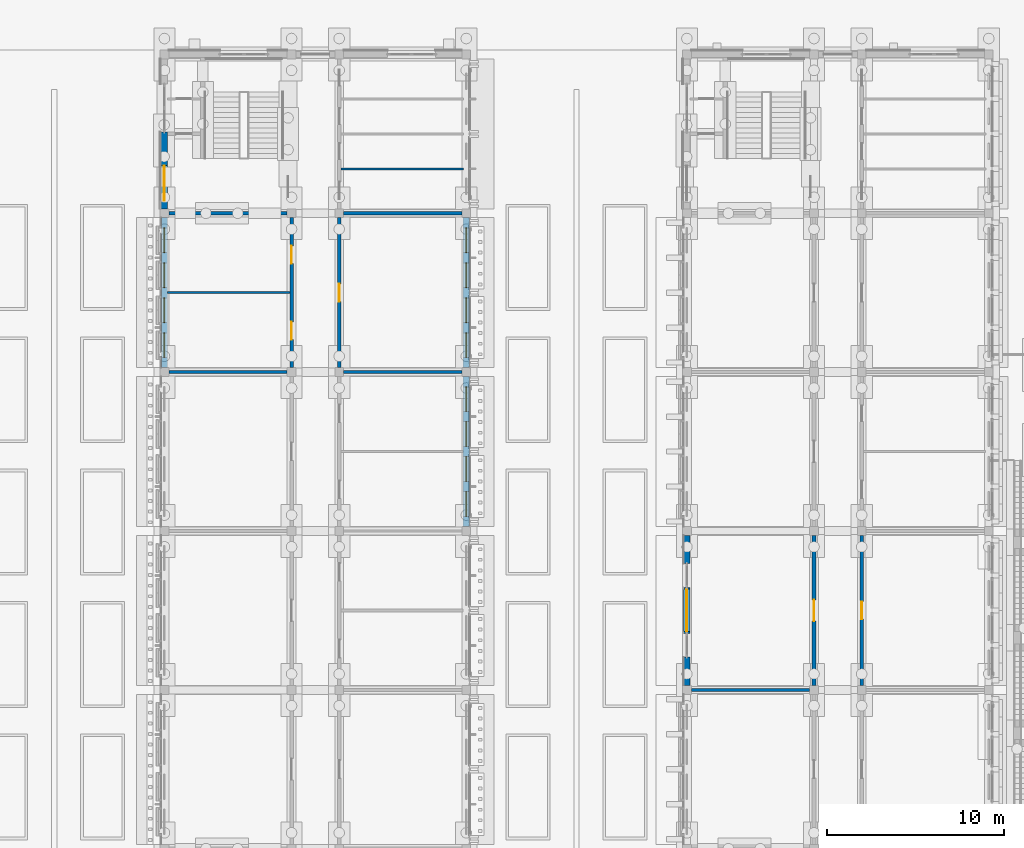
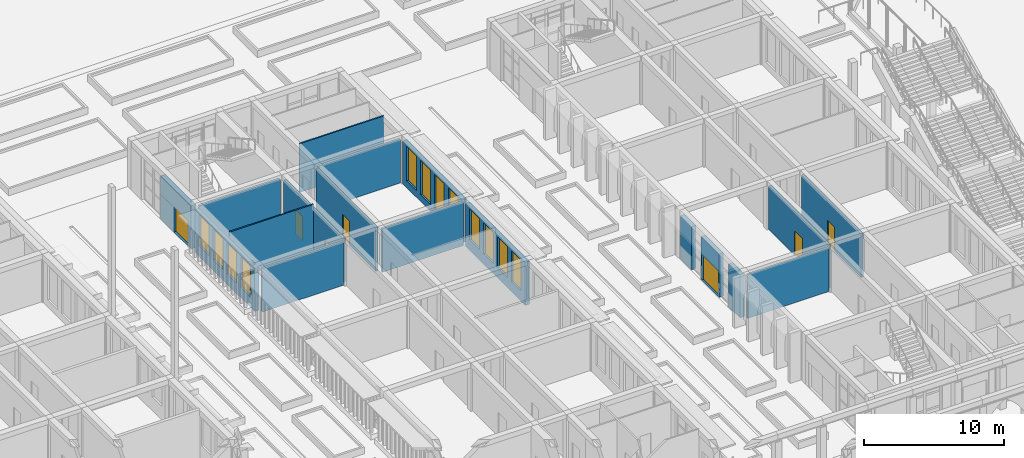
# One storey, part 71 of 161: 18 walls, 12 windows, 7 doors, 19 openings.
"""IFC4 building model written with IfcOpenShell, lengths in metres."""

from ifc_helpers import new_model, si_unit, direction, frame, frame_2d, origin, place, context, subcontext, project, spatial, rectangle, extrude, material, layer, layer_set, type_object, element, fill, save


model = new_model("IFC4")

# Units and contexts
model_context = context("Model", 3, precision=1e-05, world=origin(), true_north=direction((0.0, 1.0)))
body_context = subcontext(model_context, "Body", "Model", "MODEL_VIEW")
ifc_project = project(units=[si_unit("LENGTHUNIT", "METRE"), si_unit("AREAUNIT", "SQUARE_METRE"), si_unit("VOLUMEUNIT", "CUBIC_METRE"), si_unit("PLANEANGLEUNIT", "RADIAN"), si_unit("MASSUNIT", "GRAM", prefix="KILO")], contexts=[model_context])

# Site, building, storey
site_placement = place(None, origin())
site = spatial("IfcSite", under=ifc_project, at=site_placement, CompositionType="ELEMENT")
building_placement = place(site_placement, origin())
building = spatial("IfcBuilding", under=site, at=building_placement, Name="Elbe Cascade School", CompositionType="ELEMENT")
storey_placement = place(building_placement, origin())
storey = spatial("IfcBuildingStorey", under=building, at=storey_placement, Name="L00", CompositionType="ELEMENT", Elevation=0.0)

# Walls
ifc_material_1 = material(Name="Masonry - lime-sand block, plastered", Category="masonry")
ifc_layer_1 = layer(ifc_material_1, 0.175048828125)
ifc_layer_set_1 = layer_set([ifc_layer_1], Name="Masonry - lime-sand block, plastered")
wall_type_1 = type_object("IfcWallType", Name="Bar classroom partition wall lime-sand block 175", PredefinedType="PARTITIONING", material=ifc_layer_set_1)
for number, where, z_axis, x_axis, name in (
    (1, (128.449951171875, 42.0, 0.0), (0.0, 0.0, 1.0), (1.0, 0.0, 0.0), "Bar classroom partition wall lime-sand block 175"),
    (2, (138.35009765625, 42.0, 0.0), (0.0, 0.0, 1.0), (1.0, 0.0, 0.0), "Bar classroom partition wall lime-sand block 175"),
    (3, (158.050048828125, 24.0, 0.0), (0.0, 0.0, 1.0), (1.0, 0.0, 0.0), "Bar classroom partition wall lime-sand block 175"),
):
    element("IfcWall", number, at=place(storey_placement, frame(where, z_axis=z_axis, x_axis=x_axis)), inside=storey, type_object=wall_type_1, Name=name, PredefinedType="PARTITIONING", context=body_context, shape_type="SweptSolid", body=[
        extrude(rectangle(XDim=6.699951171875, YDim=0.175048828125, at=frame_2d((3.35009765625, 0.0))), origin(), (0.0, 0.0, 1.0), 3.800048828125),
    ])

# Wall, openings, doors
ifc_material_2 = material(Name="Masonry - lime-sand block, plastered", Category="masonry")
ifc_layer_2 = layer(ifc_material_2, 0.199951171875)
ifc_layer_set_2 = layer_set([ifc_layer_2], Name="Masonry - lime-sand block, plastered")
wall_type_2 = type_object("IfcWallType", Name="Bar corridor wall lime-sand block 200 EI 30", PredefinedType="PARTITIONING", material=ifc_layer_set_2)
wall_1_placement = place(storey_placement, frame((135.39990234375, 42.25, 0.0), z_axis=(0.0, 0.0, 1.0), x_axis=(0.0, 1.0, 0.0)))
wall_1 = element("IfcWall", 4, at=wall_1_placement, inside=storey, type_object=wall_type_2, Name="Bar corridor wall lime-sand block 200 EI 30", PredefinedType="PARTITIONING", context=body_context, shape_type="SweptSolid", body=[
    extrude(rectangle(XDim=8.5, YDim=0.199951171875, at=frame_2d((4.25, 0.0))), origin(), (0.0, 0.0, 1.0), 3.800048828125),
])
opening_1_placement = place(wall_1_placement, frame((1.59619140625, 0.0, 0.0)))
opening_1 = element("IfcOpeningElement", 5, at=opening_1_placement, cuts=wall_1, Name="Opening D0.085", PredefinedType="OPENING", context=body_context, shape_type="SweptSolid", body=[
    extrude(rectangle(XDim=1.0, YDim=2.10009765625, at=frame_2d((0.5, 1.050048828125))), frame((0.0, 0.10986328125, 0.0), z_axis=(0.0, -1.0, 0.0), x_axis=(1.0, 0.0, 0.0)), (0.0, 0.0, 1.0), 0.219970703125),
])
opening_2_placement = place(wall_1_placement, frame((5.90380859375, 0.0, 0.0)))
opening_2 = element("IfcOpeningElement", 6, at=opening_2_placement, cuts=wall_1, Name="Opening D0.087", PredefinedType="OPENING", context=body_context, shape_type="SweptSolid", body=[
    extrude(rectangle(XDim=1.0, YDim=2.10009765625, at=frame_2d((0.5, 1.050048828125))), frame((0.0, 0.10986328125, 0.0), z_axis=(0.0, -1.0, 0.0), x_axis=(1.0, 0.0, 0.0)), (0.0, 0.0, 1.0), 0.219970703125),
])
ifc_material_3 = material(Name="Timber door leaf, fire-resisting, steel frame", Category="steel")
door_type_1 = type_object("IfcDoorType", Name="Bar door FD30 1000x2100", OperationType="NOTDEFINED", PredefinedType="DOOR", material=ifc_material_3)
door_1_placement = place(opening_1_placement, origin())
door_1 = element("IfcDoor", 7, at=door_1_placement, inside=storey, type_object=door_type_1, Name="Door C0.21", OperationType="SINGLE_SWING_RIGHT", OverallHeight=2.10009765625, OverallWidth=1.0, PredefinedType="DOOR", context=body_context, shape_type="SweptSolid", body=[
    extrude(rectangle(XDim=1.0, YDim=2.10009765625, at=frame_2d((0.5, 1.050048828125))), frame((0.0, 0.02490234375, 0.0), z_axis=(0.0, -1.0, 0.0), x_axis=(1.0, 0.0, 0.0)), (0.0, 0.0, 1.0), 0.050048828125),
])
fill(opening_1, door_1)
door_2_placement = place(opening_2_placement, origin())
door_2 = element("IfcDoor", 8, at=door_2_placement, inside=storey, type_object=door_type_1, Name="Door C0.22", OperationType="SINGLE_SWING_LEFT", OverallHeight=2.10009765625, OverallWidth=1.0, PredefinedType="DOOR", context=body_context, shape_type="SweptSolid", body=[
    extrude(rectangle(XDim=1.0, YDim=2.10009765625, at=frame_2d((0.5, 1.050048828125))), frame((0.0, 0.02490234375, 0.0), z_axis=(0.0, -1.0, 0.0), x_axis=(1.0, 0.0, 0.0)), (0.0, 0.0, 1.0), 0.050048828125),
])
fill(opening_2, door_2)

# Wall, opening, door
wall_2_placement = place(storey_placement, frame((138.10009765625, 50.75, 0.0), z_axis=(0.0, 0.0, 1.0), x_axis=(0.0, -1.0, 0.0)))
wall_2 = element("IfcWall", 9, at=wall_2_placement, inside=storey, type_object=wall_type_2, Name="Bar corridor wall lime-sand block 200 EI 30", PredefinedType="PARTITIONING", context=body_context, shape_type="SweptSolid", body=[
    extrude(rectangle(XDim=8.5, YDim=0.199951171875, at=frame_2d((4.25, 0.0))), origin(), (0.0, 0.0, 1.0), 3.800048828125),
])
opening_3_placement = place(wall_2_placement, frame((3.75, 0.0, 0.0)))
opening_3 = element("IfcOpeningElement", 10, at=opening_3_placement, cuts=wall_2, Name="Opening D0.086", PredefinedType="OPENING", context=body_context, shape_type="SweptSolid", body=[
    extrude(rectangle(XDim=1.0, YDim=2.10009765625, at=frame_2d((0.5, 1.050048828125))), frame((0.0, 0.10986328125, 0.0), z_axis=(0.0, -1.0, 0.0), x_axis=(1.0, 0.0, 0.0)), (0.0, 0.0, 1.0), 0.219970703125),
])
door_3_placement = place(opening_3_placement, origin())
door_3 = element("IfcDoor", 11, at=door_3_placement, inside=storey, type_object=door_type_1, Name="Door C0.28", OperationType="SINGLE_SWING_LEFT", OverallHeight=2.10009765625, OverallWidth=1.0, PredefinedType="DOOR", context=body_context, shape_type="SweptSolid", body=[
    extrude(rectangle(XDim=1.0, YDim=2.10009765625, at=frame_2d((0.5, 1.050048828125))), frame((0.0, 0.02490234375, 0.0), z_axis=(0.0, -1.0, 0.0), x_axis=(1.0, 0.0, 0.0)), (0.0, 0.0, 1.0), 0.050048828125),
])
fill(opening_3, door_3)

wall_3_placement = place(storey_placement, frame((165.0, 24.25, 0.0), z_axis=(0.0, 0.0, 1.0), x_axis=(0.0, 1.0, 0.0)))
wall_3 = element("IfcWall", 12, at=wall_3_placement, inside=storey, type_object=wall_type_2, Name="Bar corridor wall lime-sand block 200 EI 30", PredefinedType="PARTITIONING", context=body_context, shape_type="SweptSolid", body=[
    extrude(rectangle(XDim=8.5, YDim=0.199951171875, at=frame_2d((4.25, 0.0))), origin(), (0.0, 0.0, 1.0), 3.800048828125),
])
opening_4_placement = place(wall_3_placement, frame((3.64990234375, 0.0, 0.0)))
opening_4 = element("IfcOpeningElement", 13, at=opening_4_placement, cuts=wall_3, Name="Opening D0.111", PredefinedType="OPENING", context=body_context, shape_type="SweptSolid", body=[
    extrude(rectangle(XDim=1.199951171875, YDim=2.10009765625, at=frame_2d((0.60009765625, 1.050048828125))), frame((0.0, 0.10986328125, 0.0), z_axis=(0.0, -1.0, 0.0), x_axis=(1.0, 0.0, 0.0)), (0.0, 0.0, 1.0), 0.219970703125),
])
ifc_material_4 = material(Name="Timber door leaf, fire-resisting, steel frame", Category="steel")
door_type_2 = type_object("IfcDoorType", Name="Bar door FD30 1200x2100", OperationType="NOTDEFINED", PredefinedType="DOOR", material=ifc_material_4)
door_4_placement = place(opening_4_placement, origin())
door_4 = element("IfcDoor", 14, at=door_4_placement, inside=storey, type_object=door_type_2, Name="Door D0.20a", OperationType="SINGLE_SWING_LEFT", OverallHeight=2.10009765625, OverallWidth=1.199951171875, PredefinedType="DOOR", context=body_context, shape_type="SweptSolid", body=[
    extrude(rectangle(XDim=1.199951171875, YDim=2.10009765625, at=frame_2d((0.60009765625, 1.050048828125))), frame((0.0, 0.02490234375, 0.0), z_axis=(0.0, -1.0, 0.0), x_axis=(1.0, 0.0, 0.0)), (0.0, 0.0, 1.0), 0.050048828125),
])
fill(opening_4, door_4)

wall_4_placement = place(storey_placement, frame((167.699951171875, 32.75, 0.0), z_axis=(0.0, 0.0, 1.0), x_axis=(0.0, -1.0, 0.0)))
wall_4 = element("IfcWall", 15, at=wall_4_placement, inside=storey, type_object=wall_type_2, Name="Bar corridor wall lime-sand block 200 EI 30", PredefinedType="PARTITIONING", context=body_context, shape_type="SweptSolid", body=[
    extrude(rectangle(XDim=8.5, YDim=0.199951171875, at=frame_2d((4.25, 0.0))), origin(), (0.0, 0.0, 1.0), 3.800048828125),
])
opening_5_placement = place(wall_4_placement, frame((3.75, 0.0, 0.0)))
opening_5 = element("IfcOpeningElement", 16, at=opening_5_placement, cuts=wall_4, Name="Opening D0.112", PredefinedType="OPENING", context=body_context, shape_type="SweptSolid", body=[
    extrude(rectangle(XDim=1.0, YDim=2.10009765625, at=frame_2d((0.5, 1.050048828125))), frame((0.0, 0.10986328125, 0.0), z_axis=(0.0, -1.0, 0.0), x_axis=(1.0, 0.0, 0.0)), (0.0, 0.0, 1.0), 0.219970703125),
])
door_5_placement = place(opening_5_placement, origin())
door_5 = element("IfcDoor", 17, at=door_5_placement, inside=storey, type_object=door_type_1, Name="Door D0.23", OperationType="SINGLE_SWING_RIGHT", OverallHeight=2.10009765625, OverallWidth=1.0, PredefinedType="DOOR", context=body_context, shape_type="SweptSolid", body=[
    extrude(rectangle(XDim=1.0, YDim=2.10009765625, at=frame_2d((0.5, 1.050048828125))), frame((0.0, 0.02490234375, 0.0), z_axis=(0.0, -1.0, 0.0), x_axis=(1.0, 0.0, 0.0)), (0.0, 0.0, 1.0), 0.050048828125),
])
fill(opening_5, door_5)

# Walls
ifc_material_5 = material(Name="Masonry - lime-sand block, plastered", Category="masonry")
ifc_layer_3 = layer(ifc_material_5, 0.114990234375)
ifc_layer_set_3 = layer_set([ifc_layer_3], Name="Masonry - lime-sand block, plastered")
wall_type_3 = type_object("IfcWallType", Name="Bar light partition wall lime-sand block 115", PredefinedType="PARTITIONING", material=ifc_layer_set_3)
wall_5_placement = place(storey_placement, frame((138.199951171875, 53.52001953125, 0.0), z_axis=(0.0, 0.0, 1.0), x_axis=(1.0, 0.0, 0.0)))
element("IfcWall", 18, at=wall_5_placement, inside=storey, type_object=wall_type_3, Name="Bar light partition wall lime-sand block 115", PredefinedType="PARTITIONING", context=body_context, shape_type="SweptSolid", body=[
    extrude(rectangle(XDim=6.949951171875, YDim=0.114990234375, at=frame_2d((3.47509765625, 0.0))), origin(), (0.0, 0.0, 1.0), 4.25),
])
wall_6_placement = place(storey_placement, frame((128.3798828125, 46.5, 0.0), z_axis=(0.0, 0.0, 1.0), x_axis=(1.0, 0.0, 0.0)))
element("IfcWall", 19, at=wall_6_placement, inside=storey, type_object=wall_type_3, Name="Bar light partition wall lime-sand block 115", PredefinedType="PARTITIONING", context=body_context, shape_type="SweptSolid", body=[
    extrude(rectangle(XDim=6.920166015625, YDim=0.114990234375, at=frame_2d((3.4599609375, 0.0))), origin(), (0.0, 0.0, 1.0), 4.25),
])
ifc_material_6 = material(Name="Masonry - lime-sand block, plastered", Category="masonry")
ifc_layer_4 = layer(ifc_material_6, 0.199951171875)
ifc_layer_set_4 = layer_set([ifc_layer_4], Name="Masonry - lime-sand block, plastered")
wall_type_4 = type_object("IfcWallType", Name="Bar partition wall lime-sand block 200", PredefinedType="PARTITIONING", material=ifc_layer_set_4)
wall_7_placement = place(storey_placement, frame((138.35009765625, 51.0, 0.0), z_axis=(0.0, 0.0, 1.0), x_axis=(1.0, 0.0, 0.0)))
element("IfcWall", 20, at=wall_7_placement, inside=storey, type_object=wall_type_4, Name="Bar partition wall lime-sand block 200", PredefinedType="PARTITIONING", context=body_context, shape_type="SweptSolid", body=[
    extrude(rectangle(XDim=6.699951171875, YDim=0.199951171875, at=frame_2d((3.35009765625, 0.0))), origin(), (0.0, 0.0, 1.0), 3.800048828125),
])
ifc_material_7 = material(Name="Concrete C30/37", Category="concrete")
ifc_layer_5 = layer(ifc_material_7, 0.199951171875)
ifc_layer_set_5 = layer_set([ifc_layer_5], Name="Concrete C30/37")
wall_type_5 = type_object("IfcWallType", Name="Bar stair lobby wall RC 200", PredefinedType="SOLIDWALL", material=ifc_layer_set_5)
wall_8_placement = place(storey_placement, frame((128.449951171875, 51.0, 0.0), z_axis=(0.0, 0.0, 1.0), x_axis=(1.0, 0.0, 0.0)))
element("IfcWall", 21, at=wall_8_placement, inside=storey, type_object=wall_type_5, Name="Bar stair lobby wall RC 200", PredefinedType="SOLIDWALL", context=body_context, shape_type="SweptSolid", body=[
    extrude(rectangle(XDim=6.699951171875, YDim=0.199951171875, at=frame_2d((3.35009765625, 0.0))), origin(), (0.0, 0.0, 1.0), 3.800048828125),
])

# Wall, openings, windows
ifc_material_8 = material(Name="Brick masonry - red clinker, cavity wall with render backing", Category="masonry")
ifc_layer_6 = layer(ifc_material_8, 0.360107421875)
ifc_layer_set_6 = layer_set([ifc_layer_6], Name="Brick masonry - red clinker, cavity wall with render backing")
wall_type_6 = type_object("IfcWallType", Name="Bars envelope External wall - clinker brick cavity, 360 ground floor", PredefinedType="STANDARD", material=ifc_layer_set_6)
wall_9_placement = place(storey_placement, frame((128.199951171875, 42.25, 0.0), z_axis=(0.0, 0.0, 1.0), x_axis=(0.0, 1.0, 0.0)))
wall_9 = element("IfcWall", 22, at=wall_9_placement, inside=storey, type_object=wall_type_6, Name="External wall W29 C.L00.w5", PredefinedType="STANDARD", context=body_context, shape_type="SweptSolid", body=[
    extrude(rectangle(XDim=8.5, YDim=0.360107421875, at=frame_2d((4.25, 0.0))), origin(), (0.0, 0.0, 1.0), 3.75),
])
opening_6_placement = place(wall_9_placement, frame((0.580078125, 0.0, 0.89990234375)))
opening_6 = element("IfcOpeningElement", 23, at=opening_6_placement, cuts=wall_9, Name="Opening W0.079", PredefinedType="OPENING", context=body_context, shape_type="SweptSolid", body=[
    extrude(rectangle(XDim=1.39990234375, YDim=2.699951171875, at=frame_2d((0.699951171875, 1.35009765625))), frame((0.0, 0.18994140625, 0.0), z_axis=(0.0, -1.0, 0.0), x_axis=(1.0, 0.0, 0.0)), (0.0, 0.0, 1.0), 0.380126953125),
])
opening_7_placement = place(wall_9_placement, frame((2.56005859375, 0.0, 0.89990234375)))
opening_7 = element("IfcOpeningElement", 24, at=opening_7_placement, cuts=wall_9, Name="Opening W0.081", PredefinedType="OPENING", context=body_context, shape_type="SweptSolid", body=[
    extrude(rectangle(XDim=1.39990234375, YDim=2.699951171875, at=frame_2d((0.699951171875, 1.35009765625))), frame((0.0, 0.18994140625, 0.0), z_axis=(0.0, -1.0, 0.0), x_axis=(1.0, 0.0, 0.0)), (0.0, 0.0, 1.0), 0.380126953125),
])
opening_8_placement = place(wall_9_placement, frame((4.5400390625, 0.0, 0.89990234375)))
opening_8 = element("IfcOpeningElement", 25, at=opening_8_placement, cuts=wall_9, Name="Opening W0.083", PredefinedType="OPENING", context=body_context, shape_type="SweptSolid", body=[
    extrude(rectangle(XDim=1.39990234375, YDim=2.699951171875, at=frame_2d((0.699951171875, 1.35009765625))), frame((0.0, 0.18994140625, 0.0), z_axis=(0.0, -1.0, 0.0), x_axis=(1.0, 0.0, 0.0)), (0.0, 0.0, 1.0), 0.380126953125),
])
opening_9_placement = place(wall_9_placement, frame((6.52001953125, 0.0, 0.89990234375)))
opening_9 = element("IfcOpeningElement", 26, at=opening_9_placement, cuts=wall_9, Name="Opening W0.085", PredefinedType="OPENING", context=body_context, shape_type="SweptSolid", body=[
    extrude(rectangle(XDim=1.39990234375, YDim=2.699951171875, at=frame_2d((0.699951171875, 1.35009765625))), frame((0.0, 0.18994140625, 0.0), z_axis=(0.0, -1.0, 0.0), x_axis=(1.0, 0.0, 0.0)), (0.0, 0.0, 1.0), 0.380126953125),
])
ifc_material_9 = material(Name="Aluminium frame with double glazing, bronze anodised", Category="aluminium")
window_type_1 = type_object("IfcWindowType", Name="Bars envelope Window 1400 x 2700, laboratory and office, bench height sill, aluminium double glazed", PartitioningType="DOUBLE_PANEL_VERTICAL", PredefinedType="WINDOW", material=ifc_material_9)
window_1_placement = place(opening_6_placement, origin())
window_1 = element("IfcWindow", 27, at=window_1_placement, inside=storey, type_object=window_type_1, Name="Window WN14 C.L00.w5.1", OverallHeight=2.699951171875, OverallWidth=1.39990234375, PartitioningType="DOUBLE_PANEL_VERTICAL", PredefinedType="WINDOW", context=body_context, shape_type="SweptSolid", body=[
    extrude(rectangle(XDim=1.39990234375, YDim=2.699951171875, at=frame_2d((0.699951171875, 1.35009765625))), frame((0.0, 0.030029296875, 0.0), z_axis=(0.0, -1.0, 0.0), x_axis=(1.0, 0.0, 0.0)), (0.0, 0.0, 1.0), 0.06005859375),
])
fill(opening_6, window_1)
window_2_placement = place(opening_7_placement, origin())
window_2 = element("IfcWindow", 28, at=window_2_placement, inside=storey, type_object=window_type_1, Name="Window WN14 C.L00.w5.2", OverallHeight=2.699951171875, OverallWidth=1.39990234375, PartitioningType="DOUBLE_PANEL_VERTICAL", PredefinedType="WINDOW", context=body_context, shape_type="SweptSolid", body=[
    extrude(rectangle(XDim=1.39990234375, YDim=2.699951171875, at=frame_2d((0.699951171875, 1.35009765625))), frame((0.0, 0.030029296875, 0.0), z_axis=(0.0, -1.0, 0.0), x_axis=(1.0, 0.0, 0.0)), (0.0, 0.0, 1.0), 0.06005859375),
])
fill(opening_7, window_2)
window_3_placement = place(opening_8_placement, origin())
window_3 = element("IfcWindow", 29, at=window_3_placement, inside=storey, type_object=window_type_1, Name="Window WN14 C.L00.w5.3", OverallHeight=2.699951171875, OverallWidth=1.39990234375, PartitioningType="DOUBLE_PANEL_VERTICAL", PredefinedType="WINDOW", context=body_context, shape_type="SweptSolid", body=[
    extrude(rectangle(XDim=1.39990234375, YDim=2.699951171875, at=frame_2d((0.699951171875, 1.35009765625))), frame((0.0, 0.030029296875, 0.0), z_axis=(0.0, -1.0, 0.0), x_axis=(1.0, 0.0, 0.0)), (0.0, 0.0, 1.0), 0.06005859375),
])
fill(opening_8, window_3)
window_4_placement = place(opening_9_placement, origin())
window_4 = element("IfcWindow", 30, at=window_4_placement, inside=storey, type_object=window_type_1, Name="Window WN14 C.L00.w5.4", OverallHeight=2.699951171875, OverallWidth=1.39990234375, PartitioningType="DOUBLE_PANEL_VERTICAL", PredefinedType="WINDOW", context=body_context, shape_type="SweptSolid", body=[
    extrude(rectangle(XDim=1.39990234375, YDim=2.699951171875, at=frame_2d((0.699951171875, 1.35009765625))), frame((0.0, 0.030029296875, 0.0), z_axis=(0.0, -1.0, 0.0), x_axis=(1.0, 0.0, 0.0)), (0.0, 0.0, 1.0), 0.06005859375),
])
fill(opening_9, window_4)

wall_10_placement = place(storey_placement, frame((145.300048828125, 41.75, 0.0), z_axis=(0.0, 0.0, 1.0), x_axis=(0.0, -1.0, 0.0)))
wall_10 = element("IfcWall", 31, at=wall_10_placement, inside=storey, type_object=wall_type_6, Name="External wall W29 C.L00.e4", PredefinedType="STANDARD", context=body_context, shape_type="SweptSolid", body=[
    extrude(rectangle(XDim=8.5, YDim=0.360107421875, at=frame_2d((4.25, 0.0))), origin(), (0.0, 0.0, 1.0), 3.75),
])
opening_10_placement = place(wall_10_placement, frame((6.52001953125, 0.0, 0.89990234375)))
opening_10 = element("IfcOpeningElement", 32, at=opening_10_placement, cuts=wall_10, Name="Opening W0.072", PredefinedType="OPENING", context=body_context, shape_type="SweptSolid", body=[
    extrude(rectangle(XDim=1.39990234375, YDim=2.699951171875, at=frame_2d((0.699951171875, 1.35009765625))), frame((0.0, 0.18994140625, 0.0), z_axis=(0.0, -1.0, 0.0), x_axis=(1.0, 0.0, 0.0)), (0.0, 0.0, 1.0), 0.380126953125),
])
opening_11_placement = place(wall_10_placement, frame((4.5400390625, 0.0, 0.89990234375)))
opening_11 = element("IfcOpeningElement", 33, at=opening_11_placement, cuts=wall_10, Name="Opening W0.074", PredefinedType="OPENING", context=body_context, shape_type="SweptSolid", body=[
    extrude(rectangle(XDim=1.39990234375, YDim=2.699951171875, at=frame_2d((0.699951171875, 1.35009765625))), frame((0.0, 0.18994140625, 0.0), z_axis=(0.0, -1.0, 0.0), x_axis=(1.0, 0.0, 0.0)), (0.0, 0.0, 1.0), 0.380126953125),
])
opening_12_placement = place(wall_10_placement, frame((2.56005859375, 0.0, 0.89990234375)))
opening_12 = element("IfcOpeningElement", 34, at=opening_12_placement, cuts=wall_10, Name="Opening W0.076", PredefinedType="OPENING", context=body_context, shape_type="SweptSolid", body=[
    extrude(rectangle(XDim=1.39990234375, YDim=2.699951171875, at=frame_2d((0.699951171875, 1.35009765625))), frame((0.0, 0.18994140625, 0.0), z_axis=(0.0, -1.0, 0.0), x_axis=(1.0, 0.0, 0.0)), (0.0, 0.0, 1.0), 0.380126953125),
])
opening_13_placement = place(wall_10_placement, frame((0.580078125, 0.0, 0.89990234375)))
opening_13 = element("IfcOpeningElement", 35, at=opening_13_placement, cuts=wall_10, Name="Opening W0.078", PredefinedType="OPENING", context=body_context, shape_type="SweptSolid", body=[
    extrude(rectangle(XDim=1.39990234375, YDim=2.699951171875, at=frame_2d((0.699951171875, 1.35009765625))), frame((0.0, 0.18994140625, 0.0), z_axis=(0.0, -1.0, 0.0), x_axis=(1.0, 0.0, 0.0)), (0.0, 0.0, 1.0), 0.380126953125),
])
window_5_placement = place(opening_10_placement, origin())
window_5 = element("IfcWindow", 36, at=window_5_placement, inside=storey, type_object=window_type_1, Name="Window WN14 C.L00.e4.1", OverallHeight=2.699951171875, OverallWidth=1.39990234375, PartitioningType="DOUBLE_PANEL_VERTICAL", PredefinedType="WINDOW", context=body_context, shape_type="SweptSolid", body=[
    extrude(rectangle(XDim=1.39990234375, YDim=2.699951171875, at=frame_2d((0.699951171875, 1.35009765625))), frame((0.0, 0.030029296875, 0.0), z_axis=(0.0, -1.0, 0.0), x_axis=(1.0, 0.0, 0.0)), (0.0, 0.0, 1.0), 0.06005859375),
])
fill(opening_10, window_5)
window_6_placement = place(opening_11_placement, origin())
window_6 = element("IfcWindow", 37, at=window_6_placement, inside=storey, type_object=window_type_1, Name="Window WN14 C.L00.e4.2", OverallHeight=2.699951171875, OverallWidth=1.39990234375, PartitioningType="DOUBLE_PANEL_VERTICAL", PredefinedType="WINDOW", context=body_context, shape_type="SweptSolid", body=[
    extrude(rectangle(XDim=1.39990234375, YDim=2.699951171875, at=frame_2d((0.699951171875, 1.35009765625))), frame((0.0, 0.030029296875, 0.0), z_axis=(0.0, -1.0, 0.0), x_axis=(1.0, 0.0, 0.0)), (0.0, 0.0, 1.0), 0.06005859375),
])
fill(opening_11, window_6)
window_7_placement = place(opening_12_placement, origin())
window_7 = element("IfcWindow", 38, at=window_7_placement, inside=storey, type_object=window_type_1, Name="Window WN14 C.L00.e4.3", OverallHeight=2.699951171875, OverallWidth=1.39990234375, PartitioningType="DOUBLE_PANEL_VERTICAL", PredefinedType="WINDOW", context=body_context, shape_type="SweptSolid", body=[
    extrude(rectangle(XDim=1.39990234375, YDim=2.699951171875, at=frame_2d((0.699951171875, 1.35009765625))), frame((0.0, 0.030029296875, 0.0), z_axis=(0.0, -1.0, 0.0), x_axis=(1.0, 0.0, 0.0)), (0.0, 0.0, 1.0), 0.06005859375),
])
fill(opening_12, window_7)
window_8_placement = place(opening_13_placement, origin())
window_8 = element("IfcWindow", 39, at=window_8_placement, inside=storey, type_object=window_type_1, Name="Window WN14 C.L00.e4.4", OverallHeight=2.699951171875, OverallWidth=1.39990234375, PartitioningType="DOUBLE_PANEL_VERTICAL", PredefinedType="WINDOW", context=body_context, shape_type="SweptSolid", body=[
    extrude(rectangle(XDim=1.39990234375, YDim=2.699951171875, at=frame_2d((0.699951171875, 1.35009765625))), frame((0.0, 0.030029296875, 0.0), z_axis=(0.0, -1.0, 0.0), x_axis=(1.0, 0.0, 0.0)), (0.0, 0.0, 1.0), 0.06005859375),
])
fill(opening_13, window_8)

wall_11_placement = place(storey_placement, frame((145.300048828125, 50.75, 0.0), z_axis=(0.0, 0.0, 1.0), x_axis=(0.0, -1.0, 0.0)))
wall_11 = element("IfcWall", 40, at=wall_11_placement, inside=storey, type_object=wall_type_6, Name="External wall W29 C.L00.e5", PredefinedType="STANDARD", context=body_context, shape_type="SweptSolid", body=[
    extrude(rectangle(XDim=8.5, YDim=0.360107421875, at=frame_2d((4.25, 0.0))), origin(), (0.0, 0.0, 1.0), 3.75),
])
opening_14_placement = place(wall_11_placement, frame((6.52001953125, 0.0, 0.60009765625)))
opening_14 = element("IfcOpeningElement", 41, at=opening_14_placement, cuts=wall_11, Name="Opening W0.080", PredefinedType="OPENING", context=body_context, shape_type="SweptSolid", body=[
    extrude(rectangle(XDim=1.39990234375, YDim=3.0, at=frame_2d((0.699951171875, 1.5))), frame((0.0, 0.18994140625, 0.0), z_axis=(0.0, -1.0, 0.0), x_axis=(1.0, 0.0, 0.0)), (0.0, 0.0, 1.0), 0.380126953125),
])
opening_15_placement = place(wall_11_placement, frame((4.5400390625, 0.0, 0.60009765625)))
opening_15 = element("IfcOpeningElement", 42, at=opening_15_placement, cuts=wall_11, Name="Opening W0.082", PredefinedType="OPENING", context=body_context, shape_type="SweptSolid", body=[
    extrude(rectangle(XDim=1.39990234375, YDim=3.0, at=frame_2d((0.699951171875, 1.5))), frame((0.0, 0.18994140625, 0.0), z_axis=(0.0, -1.0, 0.0), x_axis=(1.0, 0.0, 0.0)), (0.0, 0.0, 1.0), 0.380126953125),
])
opening_16_placement = place(wall_11_placement, frame((2.56005859375, 0.0, 0.60009765625)))
opening_16 = element("IfcOpeningElement", 43, at=opening_16_placement, cuts=wall_11, Name="Opening W0.084", PredefinedType="OPENING", context=body_context, shape_type="SweptSolid", body=[
    extrude(rectangle(XDim=1.39990234375, YDim=3.0, at=frame_2d((0.699951171875, 1.5))), frame((0.0, 0.18994140625, 0.0), z_axis=(0.0, -1.0, 0.0), x_axis=(1.0, 0.0, 0.0)), (0.0, 0.0, 1.0), 0.380126953125),
])
opening_17_placement = place(wall_11_placement, frame((0.580078125, 0.0, 0.60009765625)))
opening_17 = element("IfcOpeningElement", 44, at=opening_17_placement, cuts=wall_11, Name="Opening W0.086", PredefinedType="OPENING", context=body_context, shape_type="SweptSolid", body=[
    extrude(rectangle(XDim=1.39990234375, YDim=3.0, at=frame_2d((0.699951171875, 1.5))), frame((0.0, 0.18994140625, 0.0), z_axis=(0.0, -1.0, 0.0), x_axis=(1.0, 0.0, 0.0)), (0.0, 0.0, 1.0), 0.380126953125),
])
ifc_material_10 = material(Name="Aluminium frame with double glazing, bronze anodised", Category="aluminium")
window_type_2 = type_object("IfcWindowType", Name="Bars envelope Window 1400 x 3000, classroom, aluminium double glazed", PartitioningType="DOUBLE_PANEL_VERTICAL", PredefinedType="WINDOW", material=ifc_material_10)
window_9_placement = place(opening_14_placement, origin())
window_9 = element("IfcWindow", 45, at=window_9_placement, inside=storey, type_object=window_type_2, Name="Window WN12 C.L00.e5.1", OverallHeight=3.0, OverallWidth=1.39990234375, PartitioningType="DOUBLE_PANEL_VERTICAL", PredefinedType="WINDOW", context=body_context, shape_type="SweptSolid", body=[
    extrude(rectangle(XDim=1.39990234375, YDim=3.0, at=frame_2d((0.699951171875, 1.5))), frame((0.0, 0.030029296875, 0.0), z_axis=(0.0, -1.0, 0.0), x_axis=(1.0, 0.0, 0.0)), (0.0, 0.0, 1.0), 0.06005859375),
])
fill(opening_14, window_9)
window_10_placement = place(opening_15_placement, origin())
window_10 = element("IfcWindow", 46, at=window_10_placement, inside=storey, type_object=window_type_2, Name="Window WN12 C.L00.e5.2", OverallHeight=3.0, OverallWidth=1.39990234375, PartitioningType="DOUBLE_PANEL_VERTICAL", PredefinedType="WINDOW", context=body_context, shape_type="SweptSolid", body=[
    extrude(rectangle(XDim=1.39990234375, YDim=3.0, at=frame_2d((0.699951171875, 1.5))), frame((0.0, 0.030029296875, 0.0), z_axis=(0.0, -1.0, 0.0), x_axis=(1.0, 0.0, 0.0)), (0.0, 0.0, 1.0), 0.06005859375),
])
fill(opening_15, window_10)
window_11_placement = place(opening_16_placement, origin())
window_11 = element("IfcWindow", 47, at=window_11_placement, inside=storey, type_object=window_type_2, Name="Window WN12 C.L00.e5.3", OverallHeight=3.0, OverallWidth=1.39990234375, PartitioningType="DOUBLE_PANEL_VERTICAL", PredefinedType="WINDOW", context=body_context, shape_type="SweptSolid", body=[
    extrude(rectangle(XDim=1.39990234375, YDim=3.0, at=frame_2d((0.699951171875, 1.5))), frame((0.0, 0.030029296875, 0.0), z_axis=(0.0, -1.0, 0.0), x_axis=(1.0, 0.0, 0.0)), (0.0, 0.0, 1.0), 0.06005859375),
])
fill(opening_16, window_11)
window_12_placement = place(opening_17_placement, origin())
window_12 = element("IfcWindow", 48, at=window_12_placement, inside=storey, type_object=window_type_2, Name="Window WN12 C.L00.e5.4", OverallHeight=3.0, OverallWidth=1.39990234375, PartitioningType="DOUBLE_PANEL_VERTICAL", PredefinedType="WINDOW", context=body_context, shape_type="SweptSolid", body=[
    extrude(rectangle(XDim=1.39990234375, YDim=3.0, at=frame_2d((0.699951171875, 1.5))), frame((0.0, 0.030029296875, 0.0), z_axis=(0.0, -1.0, 0.0), x_axis=(1.0, 0.0, 0.0)), (0.0, 0.0, 1.0), 0.06005859375),
])
fill(opening_17, window_12)

# Wall
wall_12_placement = place(storey_placement, frame((157.800048828125, 24.25, 0.0), z_axis=(0.0, 0.0, 1.0), x_axis=(0.0, 1.0, 0.0)))
element("IfcWall", 49, at=wall_12_placement, inside=storey, type_object=wall_type_6, Name="External wall W29 D.L00.w3a", PredefinedType="STANDARD", context=body_context, shape_type="SweptSolid", body=[
    extrude(rectangle(XDim=1.60009765625, YDim=0.360107421875, at=frame_2d((0.800048828125, 0.0))), origin(), (0.0, 0.0, 1.0), 3.75),
])

# Wall, opening, door
wall_13_placement = place(storey_placement, frame((157.800048828125, 27.199951171875, 0.0), z_axis=(0.0, 0.0, 1.0), x_axis=(0.0, 1.0, 0.0)))
wall_13 = element("IfcWall", 50, at=wall_13_placement, inside=storey, type_object=wall_type_6, Name="External wall W29 D.L00.w3b", PredefinedType="STANDARD", context=body_context, shape_type="SweptSolid", body=[
    extrude(rectangle(XDim=2.60009765625, YDim=0.360107421875, at=frame_2d((1.300048828125, 0.0))), origin(), (0.0, 0.0, 1.0), 3.75),
])
opening_18_placement = place(wall_13_placement, frame((0.10009765625, 0.0, 0.0)))
opening_18 = element("IfcOpeningElement", 51, at=opening_18_placement, cuts=wall_13, Name="Opening D0.110", PredefinedType="OPENING", context=body_context, shape_type="SweptSolid", body=[
    extrude(rectangle(XDim=2.39990234375, YDim=2.199951171875, at=frame_2d((1.199951171875, 1.10009765625))), frame((0.0, 0.18994140625, 0.0), z_axis=(0.0, -1.0, 0.0), x_axis=(1.0, 0.0, 0.0)), (0.0, 0.0, 1.0), 0.380126953125),
])
ifc_material_11 = material(Name="Aluminium and glass entrance door set", Category="aluminium")
door_type_3 = type_object("IfcDoorType", Name="Bars envelope Pupil entrance door, double leaf, glazed, 2400 x 2200", OperationType="DOUBLE_DOOR_SINGLE_SWING", PredefinedType="DOOR", material=ifc_material_11)
door_6_placement = place(opening_18_placement, origin())
door_6 = element("IfcDoor", 52, at=door_6_placement, inside=storey, type_object=door_type_3, Name="Pupil entrance door D18 D.L00.w3b", OperationType="DOUBLE_DOOR_SINGLE_SWING", OverallHeight=2.199951171875, OverallWidth=2.39990234375, PredefinedType="DOOR", context=body_context, shape_type="SweptSolid", body=[
    extrude(rectangle(XDim=2.39990234375, YDim=2.199951171875, at=frame_2d((1.199951171875, 1.10009765625))), frame((0.0, 0.02490234375, 0.0), z_axis=(0.0, -1.0, 0.0), x_axis=(1.0, 0.0, 0.0)), (0.0, 0.0, 1.0), 0.050048828125),
])
fill(opening_18, door_6)

# Wall
wall_14_placement = place(storey_placement, frame((157.800048828125, 31.14990234375, 0.0), z_axis=(0.0, 0.0, 1.0), x_axis=(0.0, 1.0, 0.0)))
element("IfcWall", 53, at=wall_14_placement, inside=storey, type_object=wall_type_6, Name="External wall W29 D.L00.w3c", PredefinedType="STANDARD", context=body_context, shape_type="SweptSolid", body=[
    extrude(rectangle(XDim=1.60009765625, YDim=0.360107421875, at=frame_2d((0.800048828125, 0.0))), origin(), (0.0, 0.0, 1.0), 3.75),
])

# Wall, opening, door
ifc_material_12 = material(Name="Brick masonry - red clinker, solid, sandstone-faced", Category="masonry")
ifc_layer_7 = layer(ifc_material_12, 0.39990234375)
ifc_layer_set_7 = layer_set([ifc_layer_7], Name="Brick masonry - red clinker, solid, sandstone-faced")
wall_type_7 = type_object("IfcWallType", Name="Bars envelope External wall - solid masonry core strip, sandstone faced, 400", PredefinedType="STANDARD", material=ifc_layer_set_7)
wall_15_placement = place(storey_placement, frame((128.179931640625, 51.25, 0.0), z_axis=(0.0, 0.0, 1.0), x_axis=(0.0, 1.0, 0.0)))
wall_15 = element("IfcWall", 54, at=wall_15_placement, inside=storey, type_object=wall_type_7, Name="External wall W31 C.L00.w6a", PredefinedType="STANDARD", context=body_context, shape_type="SweptSolid", body=[
    extrude(rectangle(XDim=4.360107421875, YDim=0.39990234375, at=frame_2d((2.18017578125, 0.0))), origin(), (0.0, 0.0, 1.0), 3.75),
])
opening_19_placement = place(wall_15_placement, frame((0.449951171875, 0.0, 0.0)))
opening_19 = element("IfcOpeningElement", 55, at=opening_19_placement, cuts=wall_15, Name="Opening D0.090", PredefinedType="OPENING", context=body_context, shape_type="SweptSolid", body=[
    extrude(rectangle(XDim=2.0, YDim=2.199951171875, at=frame_2d((1.0, 1.10009765625))), frame((0.0, 0.2099609375, 0.0), z_axis=(0.0, -1.0, 0.0), x_axis=(1.0, 0.0, 0.0)), (0.0, 0.0, 1.0), 0.419921875),
])
ifc_material_13 = material(Name="Steel door set, fire resisting", Category="steel")
door_type_4 = type_object("IfcDoorType", Name="Bars envelope Stair exit door, double leaf, 2000 x 2200, fire resisting", OperationType="DOUBLE_DOOR_SINGLE_SWING", PredefinedType="DOOR", material=ifc_material_13)
door_7_placement = place(opening_19_placement, origin())
door_7 = element("IfcDoor", 56, at=door_7_placement, inside=storey, type_object=door_type_4, Name="Stair exit door D12 C.L00.w6a", OperationType="DOUBLE_DOOR_SINGLE_SWING", OverallHeight=2.199951171875, OverallWidth=2.0, PredefinedType="DOOR", context=body_context, shape_type="SweptSolid", body=[
    extrude(rectangle(XDim=2.0, YDim=2.199951171875, at=frame_2d((1.0, 1.10009765625))), frame((0.0, 0.02490234375, 0.0), z_axis=(0.0, -1.0, 0.0), x_axis=(1.0, 0.0, 0.0)), (0.0, 0.0, 1.0), 0.050048828125),
])
fill(opening_19, door_7)

save(model, "model.ifc")
